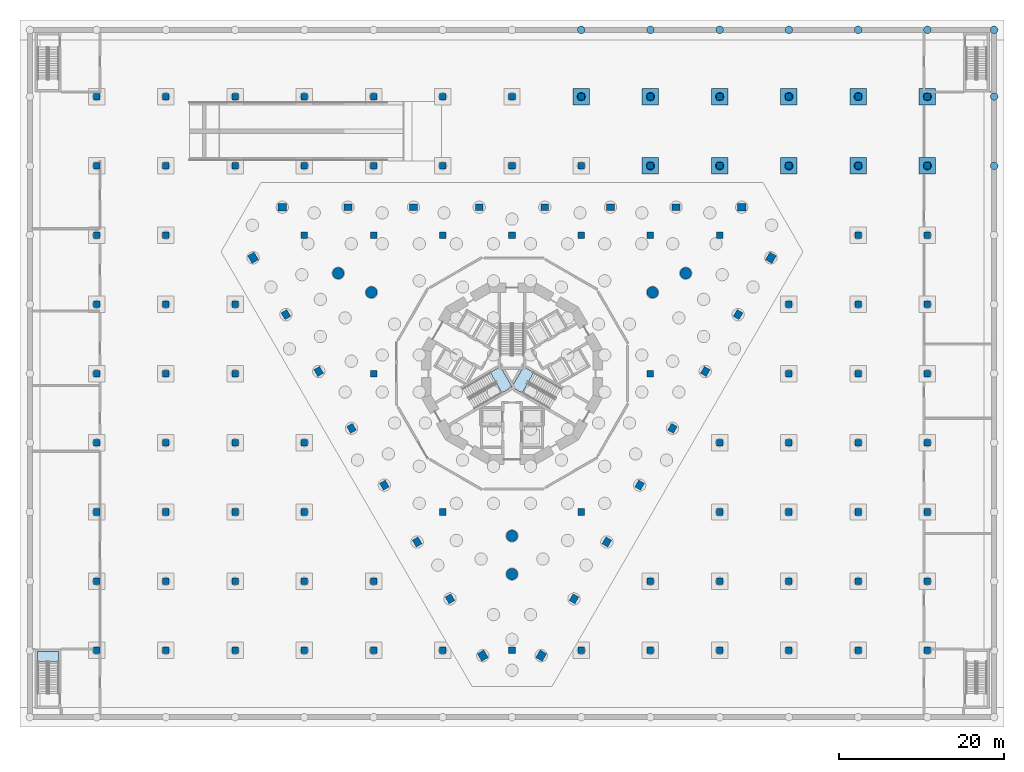
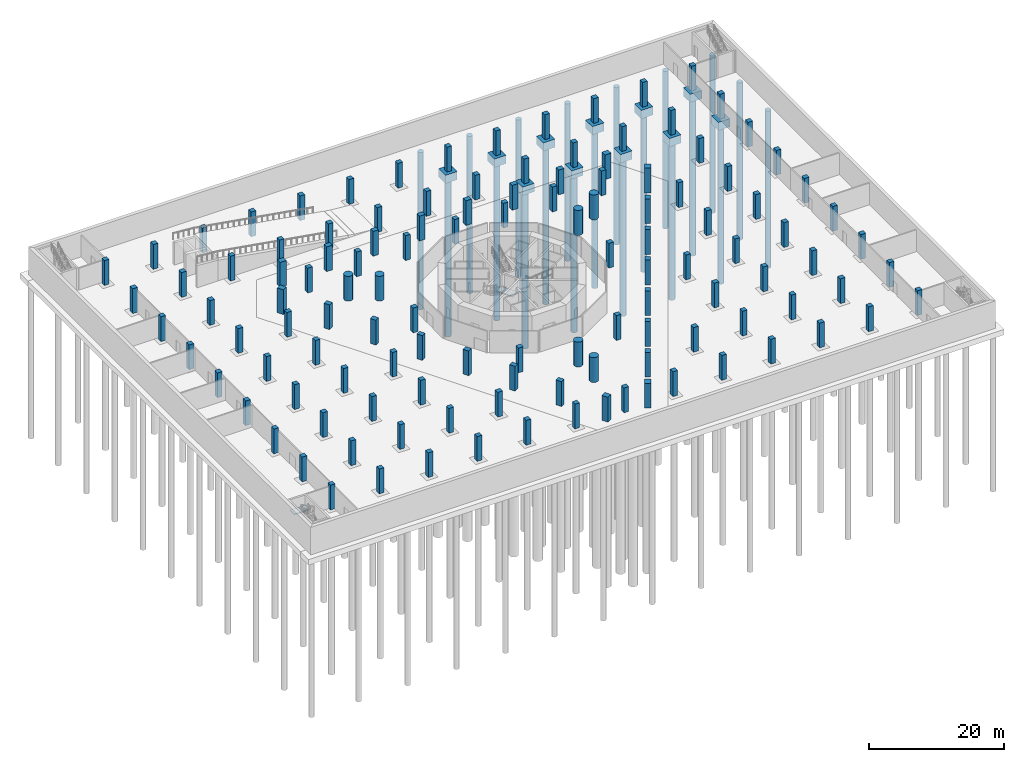
# One storey, part 3 of 23: 122 columns, 20 piles, 11 footings, 3 slabs, 3 elements without a shape of their own.
"""IFC4 building model written with IfcOpenShell, lengths in metres."""

from ifc_helpers import new_model, si_unit, direction, frame, origin, origin_2d, place, context, subcontext, project, spatial, polyline, rectangle, circle, outline, extrude, material, layer, layer_set, material_profile, profile_set, type_object, element, aggregate, save


model = new_model("IFC4")

# Units and contexts
model_context = context("Model", 3, precision=1e-05, world=origin(), true_north=direction((0.0, 1.0)))
body_context = subcontext(model_context, "Body", "Model", "MODEL_VIEW")
ifc_project = project(units=[si_unit("LENGTHUNIT", "METRE"), si_unit("AREAUNIT", "SQUARE_METRE"), si_unit("VOLUMEUNIT", "CUBIC_METRE"), si_unit("PLANEANGLEUNIT", "RADIAN"), si_unit("MASSUNIT", "GRAM", prefix="KILO")], contexts=[model_context])

# Site, building, storey
site_placement = place(None, origin())
site = spatial("IfcSite", under=ifc_project, at=site_placement, CompositionType="ELEMENT")
building_placement = place(site_placement, origin())
building = spatial("IfcBuilding", under=site, at=building_placement, Name="Trine Commons Tower", CompositionType="ELEMENT")
storey_placement = place(building_placement, frame((0.0, 0.0, -9.0)))
storey = spatial("IfcBuildingStorey", under=building, at=storey_placement, Name="B2", CompositionType="ELEMENT", Elevation=-9.0)

# Piles
ifc_material_1 = material(Name="Concrete C40/50", Category="concrete")
pile_type_1 = type_object("IfcPileType", Name="Bored pile 1000 mm, C40/50", PredefinedType="BORED", material=ifc_material_1)
for number, where, z_axis, x_axis, name in (
    (1, (96.800048828125, 87.699951171875, -1.425048828125), (0.0, 0.0, -1.0), (1.0, 0.0, 0.0), "Pile 194"),
    (2, (105.199951171875, 87.699951171875, -1.425048828125), (0.0, 0.0, -1.0), (1.0, 0.0, 0.0), "Pile 195"),
    (3, (113.60009765625, 87.699951171875, -1.425048828125), (0.0, 0.0, -1.0), (1.0, 0.0, 0.0), "Pile 196"),
    (4, (122.0, 87.699951171875, -1.425048828125), (0.0, 0.0, -1.0), (1.0, 0.0, 0.0), "Pile 197"),
    (5, (130.39990234375, 87.699951171875, -1.425048828125), (0.0, 0.0, -1.0), (1.0, 0.0, 0.0), "Pile 198"),
    (6, (88.39990234375, 96.10009765625, -1.425048828125), (0.0, 0.0, -1.0), (1.0, 0.0, 0.0), "Pile 206"),
    (7, (96.800048828125, 96.10009765625, -1.425048828125), (0.0, 0.0, -1.0), (1.0, 0.0, 0.0), "Pile 207"),
    (8, (105.199951171875, 96.10009765625, -1.425048828125), (0.0, 0.0, -1.0), (1.0, 0.0, 0.0), "Pile 208"),
    (9, (113.60009765625, 96.10009765625, -1.425048828125), (0.0, 0.0, -1.0), (1.0, 0.0, 0.0), "Pile 209"),
    (10, (122.0, 96.10009765625, -1.425048828125), (0.0, 0.0, -1.0), (1.0, 0.0, 0.0), "Pile 210"),
    (11, (130.39990234375, 96.10009765625, -1.425048828125), (0.0, 0.0, -1.0), (1.0, 0.0, 0.0), "Pile 211"),
):
    element("IfcPile", number, at=place(storey_placement, frame(where, z_axis=z_axis, x_axis=x_axis)), inside=storey, type_object=pile_type_1, Name=name, PredefinedType="BORED", context=body_context, shape_type="SweptSolid", body=[
        extrude(circle(Radius=0.5, at=origin_2d()), origin(), (0.0, 0.0, 1.0), 28.574951171875),
    ])
pile_type_2 = type_object("IfcPileType", Name="Bored pile 900 mm, C40/50", PredefinedType="BORED", material=ifc_material_1)
for number, where, z_axis, x_axis, name in (
    (12, (138.5, 87.699951171875, -1.425048828125), (0.0, 0.0, -1.0), (1.0, 0.0, 0.0), "Pile 242"),
    (13, (138.5, 96.10009765625, -1.425048828125), (0.0, 0.0, -1.0), (1.0, 0.0, 0.0), "Pile 244"),
    (14, (88.39990234375, 104.199951171875, -1.425048828125), (0.0, 0.0, -1.0), (1.0, 0.0, 0.0), "Pile 253"),
    (15, (96.800048828125, 104.199951171875, -1.425048828125), (0.0, 0.0, -1.0), (1.0, 0.0, 0.0), "Pile 254"),
    (16, (105.199951171875, 104.199951171875, -1.425048828125), (0.0, 0.0, -1.0), (1.0, 0.0, 0.0), "Pile 255"),
    (17, (113.60009765625, 104.199951171875, -1.425048828125), (0.0, 0.0, -1.0), (1.0, 0.0, 0.0), "Pile 256"),
    (18, (122.0, 104.199951171875, -1.425048828125), (0.0, 0.0, -1.0), (1.0, 0.0, 0.0), "Pile 257"),
    (19, (130.39990234375, 104.199951171875, -1.425048828125), (0.0, 0.0, -1.0), (1.0, 0.0, 0.0), "Pile 258"),
    (20, (138.5, 104.199951171875, -1.425048828125), (0.0, 0.0, -1.0), (1.0, 0.0, 0.0), "Pile 259"),
):
    element("IfcPile", number, at=place(storey_placement, frame(where, z_axis=z_axis, x_axis=x_axis)), inside=storey, type_object=pile_type_2, Name=name, PredefinedType="BORED", context=body_context, shape_type="SweptSolid", body=[
        extrude(circle(Radius=0.449951171875, at=origin_2d()), origin(), (0.0, 0.0, 1.0), 28.574951171875),
    ])

# Footings
ifc_material_2 = material(Name="Concrete C50/60", Category="concrete")
ifc_layer_1 = layer(ifc_material_2, 1.5)
ifc_layer_set_1 = layer_set([ifc_layer_1], Name="Concrete C50/60")
footing_type = type_object("IfcFootingType", Name="Pile cap 1500 mm, C50/60", PredefinedType="PILE_CAP", material=ifc_layer_set_1)
footing_1_placement = place(storey_placement, frame((0.0, 0.0, -1.5)))
element("IfcFooting", 21, at=footing_1_placement, inside=storey, type_object=footing_type, Name="Pile cap BC-75", PredefinedType="PILE_CAP", context=body_context, shape_type="SweptSolid", body=[
    extrude(outline(polyline([(95.800048828125, 86.699951171875), (95.800048828125, 88.699951171875), (97.800048828125, 88.699951171875), (97.800048828125, 86.699951171875), (95.800048828125, 86.699951171875)])), origin(), (0.0, 0.0, 1.0), 1.5),
])
footing_2_placement = place(storey_placement, frame((0.0, 0.0, -1.5)))
element("IfcFooting", 22, at=footing_2_placement, inside=storey, type_object=footing_type, Name="Pile cap BC-76", PredefinedType="PILE_CAP", context=body_context, shape_type="SweptSolid", body=[
    extrude(outline(polyline([(104.199951171875, 86.699951171875), (104.199951171875, 88.699951171875), (106.199951171875, 88.699951171875), (106.199951171875, 86.699951171875), (104.199951171875, 86.699951171875)])), origin(), (0.0, 0.0, 1.0), 1.5),
])
footing_3_placement = place(storey_placement, frame((0.0, 0.0, -1.5)))
element("IfcFooting", 23, at=footing_3_placement, inside=storey, type_object=footing_type, Name="Pile cap BC-77", PredefinedType="PILE_CAP", context=body_context, shape_type="SweptSolid", body=[
    extrude(outline(polyline([(112.60009765625, 86.699951171875), (112.60009765625, 88.699951171875), (114.60009765625, 88.699951171875), (114.60009765625, 86.699951171875), (112.60009765625, 86.699951171875)])), origin(), (0.0, 0.0, 1.0), 1.5),
])
footing_4_placement = place(storey_placement, frame((0.0, 0.0, -1.5)))
element("IfcFooting", 24, at=footing_4_placement, inside=storey, type_object=footing_type, Name="Pile cap BC-78", PredefinedType="PILE_CAP", context=body_context, shape_type="SweptSolid", body=[
    extrude(outline(polyline([(121.0, 86.699951171875), (121.0, 88.699951171875), (123.0, 88.699951171875), (123.0, 86.699951171875), (121.0, 86.699951171875)])), origin(), (0.0, 0.0, 1.0), 1.5),
])
footing_5_placement = place(storey_placement, frame((0.0, 0.0, -1.5)))
element("IfcFooting", 25, at=footing_5_placement, inside=storey, type_object=footing_type, Name="Pile cap BC-79", PredefinedType="PILE_CAP", context=body_context, shape_type="SweptSolid", body=[
    extrude(outline(polyline([(129.39990234375, 86.699951171875), (129.39990234375, 88.699951171875), (131.39990234375, 88.699951171875), (131.39990234375, 86.699951171875), (129.39990234375, 86.699951171875)])), origin(), (0.0, 0.0, 1.0), 1.5),
])
footing_6_placement = place(storey_placement, frame((0.0, 0.0, -1.5)))
element("IfcFooting", 26, at=footing_6_placement, inside=storey, type_object=footing_type, Name="Pile cap BC-87", PredefinedType="PILE_CAP", context=body_context, shape_type="SweptSolid", body=[
    extrude(outline(polyline([(87.39990234375, 95.10009765625), (87.39990234375, 97.10009765625), (89.39990234375, 97.10009765625), (89.39990234375, 95.10009765625), (87.39990234375, 95.10009765625)])), origin(), (0.0, 0.0, 1.0), 1.5),
])
footing_7_placement = place(storey_placement, frame((0.0, 0.0, -1.5)))
element("IfcFooting", 27, at=footing_7_placement, inside=storey, type_object=footing_type, Name="Pile cap BC-88", PredefinedType="PILE_CAP", context=body_context, shape_type="SweptSolid", body=[
    extrude(outline(polyline([(95.800048828125, 95.10009765625), (95.800048828125, 97.10009765625), (97.800048828125, 97.10009765625), (97.800048828125, 95.10009765625), (95.800048828125, 95.10009765625)])), origin(), (0.0, 0.0, 1.0), 1.5),
])
footing_8_placement = place(storey_placement, frame((0.0, 0.0, -1.5)))
element("IfcFooting", 28, at=footing_8_placement, inside=storey, type_object=footing_type, Name="Pile cap BC-89", PredefinedType="PILE_CAP", context=body_context, shape_type="SweptSolid", body=[
    extrude(outline(polyline([(104.199951171875, 95.10009765625), (104.199951171875, 97.10009765625), (106.199951171875, 97.10009765625), (106.199951171875, 95.10009765625), (104.199951171875, 95.10009765625)])), origin(), (0.0, 0.0, 1.0), 1.5),
])
footing_9_placement = place(storey_placement, frame((0.0, 0.0, -1.5)))
element("IfcFooting", 29, at=footing_9_placement, inside=storey, type_object=footing_type, Name="Pile cap BC-90", PredefinedType="PILE_CAP", context=body_context, shape_type="SweptSolid", body=[
    extrude(outline(polyline([(112.60009765625, 95.10009765625), (112.60009765625, 97.10009765625), (114.60009765625, 97.10009765625), (114.60009765625, 95.10009765625), (112.60009765625, 95.10009765625)])), origin(), (0.0, 0.0, 1.0), 1.5),
])
footing_10_placement = place(storey_placement, frame((0.0, 0.0, -1.5)))
element("IfcFooting", 30, at=footing_10_placement, inside=storey, type_object=footing_type, Name="Pile cap BC-91", PredefinedType="PILE_CAP", context=body_context, shape_type="SweptSolid", body=[
    extrude(outline(polyline([(121.0, 95.10009765625), (121.0, 97.10009765625), (123.0, 97.10009765625), (123.0, 95.10009765625), (121.0, 95.10009765625)])), origin(), (0.0, 0.0, 1.0), 1.5),
])
footing_11_placement = place(storey_placement, frame((0.0, 0.0, -1.5)))
element("IfcFooting", 31, at=footing_11_placement, inside=storey, type_object=footing_type, Name="Pile cap BC-92", PredefinedType="PILE_CAP", context=body_context, shape_type="SweptSolid", body=[
    extrude(outline(polyline([(129.39990234375, 95.10009765625), (129.39990234375, 97.10009765625), (131.39990234375, 97.10009765625), (131.39990234375, 95.10009765625), (129.39990234375, 95.10009765625)])), origin(), (0.0, 0.0, 1.0), 1.5),
])

# Columns
ifc_material_3 = material(Name="Concrete C80/95", Category="concrete")
ifc_material_profile_1 = material_profile(ifc_material_3, rectangle(XDim=1.050048828125, YDim=0.89990234375, at=origin_2d()), Name="RC 1050x900")
ifc_profile_set_1 = profile_set([ifc_material_profile_1], Name="Concrete C80/95")
column_type_1 = type_object("IfcColumnType", Name="RC column 1050x900, C80/95", PredefinedType="COLUMN", material=ifc_profile_set_1)
for number, where, z_axis, x_axis, name in (
    (32, (76.45556640625, 28.27001953125, 0.0), (0.0, 0.0, 1.0), (-0.5, 0.866025403784, 0.0), "Column PC1-01 B2"),
    (33, (48.583740234375, 76.54541015625, 0.0), (0.0, 0.0, 1.0), (-0.5, 0.866025403784, 0.0), "Column PC1-08 B2"),
    (34, (52.128173828125, 82.6845703125, 0.0), (0.0, 0.0, 1.0), (1.0, 0.0, 0.0), "Column PC1-09 B2"),
    (35, (107.871826171875, 82.6845703125, 0.0), (0.0, 0.0, 1.0), (1.0, 0.0, 0.0), "Column PC1-16 B2"),
    (36, (111.416259765625, 76.54541015625, 0.0), (0.0, 0.0, 1.0), (0.5, 0.866025403784, 0.0), "Column PC1-17 B2"),
    (37, (83.54443359375, 28.27001953125, 0.0), (0.0, 0.0, 1.0), (0.5, 0.866025403784, 0.0), "Column PC1-24 B2"),
):
    element("IfcColumn", number, at=place(storey_placement, frame(where, z_axis=z_axis, x_axis=x_axis)), inside=storey, type_object=column_type_1, Name=name, PredefinedType="COLUMN", context=body_context, shape_type="SweptSolid", body=[
        extrude(rectangle(XDim=1.050048828125, YDim=0.89990234375, at=origin_2d()), origin(), (0.0, 0.0, 1.0), 4.5),
    ])
ifc_material_profile_2 = material_profile(ifc_material_2, rectangle(XDim=0.800048828125, YDim=0.800048828125, at=origin_2d()), Name="RC 800x800")
ifc_profile_set_2 = profile_set([ifc_material_profile_2], Name="Concrete C50/60")
column_type_2 = type_object("IfcColumnType", Name="RC column 800x800, C50/60", PredefinedType="COLUMN", material=ifc_profile_set_2)
for number, where, z_axis, x_axis, name in (
    (38, (29.60009765625, 28.89990234375, 0.0), (0.0, 0.0, 1.0), (1.0, 0.0, 0.0), "Column BC-01 B2"),
    (39, (38.0, 28.89990234375, 0.0), (0.0, 0.0, 1.0), (1.0, 0.0, 0.0), "Column BC-02 B2"),
    (40, (46.39990234375, 28.89990234375, 0.0), (0.0, 0.0, 1.0), (1.0, 0.0, 0.0), "Column BC-03 B2"),
    (41, (54.800048828125, 28.89990234375, 0.0), (0.0, 0.0, 1.0), (1.0, 0.0, 0.0), "Column BC-04 B2"),
    (42, (63.199951171875, 28.89990234375, 0.0), (0.0, 0.0, 1.0), (1.0, 0.0, 0.0), "Column BC-05 B2"),
    (43, (71.60009765625, 28.89990234375, 0.0), (0.0, 0.0, 1.0), (1.0, 0.0, 0.0), "Column BC-06 B2"),
    (44, (80.0, 28.89990234375, 0.0), (0.0, 0.0, 1.0), (1.0, 0.0, 0.0), "Column BC-07 B2"),
    (45, (88.39990234375, 28.89990234375, 0.0), (0.0, 0.0, 1.0), (1.0, 0.0, 0.0), "Column BC-08 B2"),
    (46, (96.800048828125, 28.89990234375, 0.0), (0.0, 0.0, 1.0), (1.0, 0.0, 0.0), "Column BC-09 B2"),
    (47, (105.199951171875, 28.89990234375, 0.0), (0.0, 0.0, 1.0), (1.0, 0.0, 0.0), "Column BC-10 B2"),
    (48, (113.60009765625, 28.89990234375, 0.0), (0.0, 0.0, 1.0), (1.0, 0.0, 0.0), "Column BC-11 B2"),
    (49, (122.0, 28.89990234375, 0.0), (0.0, 0.0, 1.0), (1.0, 0.0, 0.0), "Column BC-12 B2"),
    (50, (130.39990234375, 28.89990234375, 0.0), (0.0, 0.0, 1.0), (1.0, 0.0, 0.0), "Column BC-13 B2"),
    (51, (29.60009765625, 37.300048828125, 0.0), (0.0, 0.0, 1.0), (1.0, 0.0, 0.0), "Column BC-14 B2"),
    (52, (38.0, 37.300048828125, 0.0), (0.0, 0.0, 1.0), (1.0, 0.0, 0.0), "Column BC-15 B2"),
    (53, (46.39990234375, 37.300048828125, 0.0), (0.0, 0.0, 1.0), (1.0, 0.0, 0.0), "Column BC-16 B2"),
    (54, (54.800048828125, 37.300048828125, 0.0), (0.0, 0.0, 1.0), (1.0, 0.0, 0.0), "Column BC-17 B2"),
    (55, (63.199951171875, 37.300048828125, 0.0), (0.0, 0.0, 1.0), (1.0, 0.0, 0.0), "Column BC-18 B2"),
    (56, (96.800048828125, 37.300048828125, 0.0), (0.0, 0.0, 1.0), (1.0, 0.0, 0.0), "Column BC-19 B2"),
    (57, (105.199951171875, 37.300048828125, 0.0), (0.0, 0.0, 1.0), (1.0, 0.0, 0.0), "Column BC-20 B2"),
    (58, (113.60009765625, 37.300048828125, 0.0), (0.0, 0.0, 1.0), (1.0, 0.0, 0.0), "Column BC-21 B2"),
    (59, (122.0, 37.300048828125, 0.0), (0.0, 0.0, 1.0), (1.0, 0.0, 0.0), "Column BC-22 B2"),
    (60, (130.39990234375, 37.300048828125, 0.0), (0.0, 0.0, 1.0), (1.0, 0.0, 0.0), "Column BC-23 B2"),
    (61, (29.60009765625, 45.699951171875, 0.0), (0.0, 0.0, 1.0), (1.0, 0.0, 0.0), "Column BC-24 B2"),
    (62, (38.0, 45.699951171875, 0.0), (0.0, 0.0, 1.0), (1.0, 0.0, 0.0), "Column BC-25 B2"),
    (63, (46.39990234375, 45.699951171875, 0.0), (0.0, 0.0, 1.0), (1.0, 0.0, 0.0), "Column BC-26 B2"),
    (64, (54.800048828125, 45.699951171875, 0.0), (0.0, 0.0, 1.0), (1.0, 0.0, 0.0), "Column BC-27 B2"),
    (65, (71.60009765625, 45.699951171875, 0.0), (0.0, 0.0, 1.0), (1.0, 0.0, 0.0), "Column BC-28 B2"),
    (66, (88.39990234375, 45.699951171875, 0.0), (0.0, 0.0, 1.0), (1.0, 0.0, 0.0), "Column BC-29 B2"),
    (67, (105.199951171875, 45.699951171875, 0.0), (0.0, 0.0, 1.0), (1.0, 0.0, 0.0), "Column BC-30 B2"),
    (68, (113.60009765625, 45.699951171875, 0.0), (0.0, 0.0, 1.0), (1.0, 0.0, 0.0), "Column BC-31 B2"),
    (69, (122.0, 45.699951171875, 0.0), (0.0, 0.0, 1.0), (1.0, 0.0, 0.0), "Column BC-32 B2"),
    (70, (130.39990234375, 45.699951171875, 0.0), (0.0, 0.0, 1.0), (1.0, 0.0, 0.0), "Column BC-33 B2"),
    (71, (29.60009765625, 54.10009765625, 0.0), (0.0, 0.0, 1.0), (1.0, 0.0, 0.0), "Column BC-34 B2"),
    (72, (38.0, 54.10009765625, 0.0), (0.0, 0.0, 1.0), (1.0, 0.0, 0.0), "Column BC-35 B2"),
    (73, (46.39990234375, 54.10009765625, 0.0), (0.0, 0.0, 1.0), (1.0, 0.0, 0.0), "Column BC-36 B2"),
    (74, (54.800048828125, 54.10009765625, 0.0), (0.0, 0.0, 1.0), (1.0, 0.0, 0.0), "Column BC-37 B2"),
    (75, (105.199951171875, 54.10009765625, 0.0), (0.0, 0.0, 1.0), (1.0, 0.0, 0.0), "Column BC-38 B2"),
    (76, (113.60009765625, 54.10009765625, 0.0), (0.0, 0.0, 1.0), (1.0, 0.0, 0.0), "Column BC-39 B2"),
    (77, (122.0, 54.10009765625, 0.0), (0.0, 0.0, 1.0), (1.0, 0.0, 0.0), "Column BC-40 B2"),
    (78, (130.39990234375, 54.10009765625, 0.0), (0.0, 0.0, 1.0), (1.0, 0.0, 0.0), "Column BC-41 B2"),
    (79, (29.60009765625, 62.5, 0.0), (0.0, 0.0, 1.0), (1.0, 0.0, 0.0), "Column BC-42 B2"),
    (80, (38.0, 62.5, 0.0), (0.0, 0.0, 1.0), (1.0, 0.0, 0.0), "Column BC-43 B2"),
    (81, (46.39990234375, 62.5, 0.0), (0.0, 0.0, 1.0), (1.0, 0.0, 0.0), "Column BC-44 B2"),
    (82, (63.199951171875, 62.5, 0.0), (0.0, 0.0, 1.0), (1.0, 0.0, 0.0), "Column BC-45 B2"),
    (83, (96.800048828125, 62.5, 0.0), (0.0, 0.0, 1.0), (1.0, 0.0, 0.0), "Column BC-46 B2"),
    (84, (113.60009765625, 62.5, 0.0), (0.0, 0.0, 1.0), (1.0, 0.0, 0.0), "Column BC-47 B2"),
    (85, (122.0, 62.5, 0.0), (0.0, 0.0, 1.0), (1.0, 0.0, 0.0), "Column BC-48 B2"),
    (86, (130.39990234375, 62.5, 0.0), (0.0, 0.0, 1.0), (1.0, 0.0, 0.0), "Column BC-49 B2"),
    (87, (29.60009765625, 70.89990234375, 0.0), (0.0, 0.0, 1.0), (1.0, 0.0, 0.0), "Column BC-50 B2"),
    (88, (38.0, 70.89990234375, 0.0), (0.0, 0.0, 1.0), (1.0, 0.0, 0.0), "Column BC-51 B2"),
    (89, (46.39990234375, 70.89990234375, 0.0), (0.0, 0.0, 1.0), (1.0, 0.0, 0.0), "Column BC-52 B2"),
    (90, (113.60009765625, 70.89990234375, 0.0), (0.0, 0.0, 1.0), (1.0, 0.0, 0.0), "Column BC-53 B2"),
    (91, (122.0, 70.89990234375, 0.0), (0.0, 0.0, 1.0), (1.0, 0.0, 0.0), "Column BC-54 B2"),
    (92, (130.39990234375, 70.89990234375, 0.0), (0.0, 0.0, 1.0), (1.0, 0.0, 0.0), "Column BC-55 B2"),
    (93, (29.60009765625, 79.300048828125, 0.0), (0.0, 0.0, 1.0), (1.0, 0.0, 0.0), "Column BC-56 B2"),
    (94, (38.0, 79.300048828125, 0.0), (0.0, 0.0, 1.0), (1.0, 0.0, 0.0), "Column BC-57 B2"),
    (95, (54.800048828125, 79.300048828125, 0.0), (0.0, 0.0, 1.0), (1.0, 0.0, 0.0), "Column BC-58 B2"),
    (96, (63.199951171875, 79.300048828125, 0.0), (0.0, 0.0, 1.0), (1.0, 0.0, 0.0), "Column BC-59 B2"),
    (97, (71.60009765625, 79.300048828125, 0.0), (0.0, 0.0, 1.0), (1.0, 0.0, 0.0), "Column BC-60 B2"),
    (98, (80.0, 79.300048828125, 0.0), (0.0, 0.0, 1.0), (1.0, 0.0, 0.0), "Column BC-61 B2"),
    (99, (88.39990234375, 79.300048828125, 0.0), (0.0, 0.0, 1.0), (1.0, 0.0, 0.0), "Column BC-62 B2"),
    (100, (96.800048828125, 79.300048828125, 0.0), (0.0, 0.0, 1.0), (1.0, 0.0, 0.0), "Column BC-63 B2"),
    (101, (105.199951171875, 79.300048828125, 0.0), (0.0, 0.0, 1.0), (1.0, 0.0, 0.0), "Column BC-64 B2"),
    (102, (122.0, 79.300048828125, 0.0), (0.0, 0.0, 1.0), (1.0, 0.0, 0.0), "Column BC-65 B2"),
    (103, (130.39990234375, 79.300048828125, 0.0), (0.0, 0.0, 1.0), (1.0, 0.0, 0.0), "Column BC-66 B2"),
    (104, (29.60009765625, 87.699951171875, 0.0), (0.0, 0.0, 1.0), (1.0, 0.0, 0.0), "Column BC-67 B2"),
    (105, (38.0, 87.699951171875, 0.0), (0.0, 0.0, 1.0), (1.0, 0.0, 0.0), "Column BC-68 B2"),
    (106, (46.39990234375, 87.699951171875, 0.0), (0.0, 0.0, 1.0), (1.0, 0.0, 0.0), "Column BC-69 B2"),
    (107, (54.800048828125, 87.699951171875, 0.0), (0.0, 0.0, 1.0), (1.0, 0.0, 0.0), "Column BC-70 B2"),
    (108, (63.199951171875, 87.699951171875, 0.0), (0.0, 0.0, 1.0), (1.0, 0.0, 0.0), "Column BC-71 B2"),
    (109, (71.60009765625, 87.699951171875, 0.0), (0.0, 0.0, 1.0), (1.0, 0.0, 0.0), "Column BC-72 B2"),
    (110, (80.0, 87.699951171875, 0.0), (0.0, 0.0, 1.0), (1.0, 0.0, 0.0), "Column BC-73 B2"),
    (111, (88.39990234375, 87.699951171875, 0.0), (0.0, 0.0, 1.0), (1.0, 0.0, 0.0), "Column BC-74 B2"),
    (112, (96.800048828125, 87.699951171875, 0.0), (0.0, 0.0, 1.0), (1.0, 0.0, 0.0), "Column BC-75 B2"),
    (113, (105.199951171875, 87.699951171875, 0.0), (0.0, 0.0, 1.0), (1.0, 0.0, 0.0), "Column BC-76 B2"),
    (114, (113.60009765625, 87.699951171875, 0.0), (0.0, 0.0, 1.0), (1.0, 0.0, 0.0), "Column BC-77 B2"),
    (115, (122.0, 87.699951171875, 0.0), (0.0, 0.0, 1.0), (1.0, 0.0, 0.0), "Column BC-78 B2"),
    (116, (130.39990234375, 87.699951171875, 0.0), (0.0, 0.0, 1.0), (1.0, 0.0, 0.0), "Column BC-79 B2"),
    (117, (29.60009765625, 96.10009765625, 0.0), (0.0, 0.0, 1.0), (1.0, 0.0, 0.0), "Column BC-80 B2"),
    (118, (38.0, 96.10009765625, 0.0), (0.0, 0.0, 1.0), (1.0, 0.0, 0.0), "Column BC-81 B2"),
    (119, (46.39990234375, 96.10009765625, 0.0), (0.0, 0.0, 1.0), (1.0, 0.0, 0.0), "Column BC-82 B2"),
    (120, (54.800048828125, 96.10009765625, 0.0), (0.0, 0.0, 1.0), (1.0, 0.0, 0.0), "Column BC-83 B2"),
    (121, (63.199951171875, 96.10009765625, 0.0), (0.0, 0.0, 1.0), (1.0, 0.0, 0.0), "Column BC-84 B2"),
    (122, (71.60009765625, 96.10009765625, 0.0), (0.0, 0.0, 1.0), (1.0, 0.0, 0.0), "Column BC-85 B2"),
    (123, (80.0, 96.10009765625, 0.0), (0.0, 0.0, 1.0), (1.0, 0.0, 0.0), "Column BC-86 B2"),
    (124, (88.39990234375, 96.10009765625, 0.0), (0.0, 0.0, 1.0), (1.0, 0.0, 0.0), "Column BC-87 B2"),
    (125, (96.800048828125, 96.10009765625, 0.0), (0.0, 0.0, 1.0), (1.0, 0.0, 0.0), "Column BC-88 B2"),
    (126, (105.199951171875, 96.10009765625, 0.0), (0.0, 0.0, 1.0), (1.0, 0.0, 0.0), "Column BC-89 B2"),
    (127, (113.60009765625, 96.10009765625, 0.0), (0.0, 0.0, 1.0), (1.0, 0.0, 0.0), "Column BC-90 B2"),
    (128, (122.0, 96.10009765625, 0.0), (0.0, 0.0, 1.0), (1.0, 0.0, 0.0), "Column BC-91 B2"),
    (129, (130.39990234375, 96.10009765625, 0.0), (0.0, 0.0, 1.0), (1.0, 0.0, 0.0), "Column BC-92 B2"),
):
    element("IfcColumn", number, at=place(storey_placement, frame(where, z_axis=z_axis, x_axis=x_axis)), inside=storey, type_object=column_type_2, Name=name, PredefinedType="COLUMN", context=body_context, shape_type="SweptSolid", body=[
        extrude(rectangle(XDim=0.800048828125, YDim=0.800048828125, at=origin_2d()), origin(), (0.0, 0.0, 1.0), 4.5),
    ])
ifc_material_profile_3 = material_profile(ifc_material_3, rectangle(XDim=0.949951171875, YDim=0.800048828125, at=origin_2d()), Name="RC 950x800")
ifc_profile_set_3 = profile_set([ifc_material_profile_3], Name="Concrete C80/95")
column_type_3 = type_object("IfcColumnType", Name="RC column 950x800, C80/95", PredefinedType="COLUMN", material=ifc_profile_set_3)
for number, where, z_axis, x_axis, name in (
    (130, (72.473876953125, 35.16650390625, 0.0), (0.0, 0.0, 1.0), (-0.5, 0.866025403784, 0.0), "Column PC1-02 B2"),
    (131, (68.4921875, 42.06298828125, 0.0), (0.0, 0.0, 1.0), (-0.5, 0.866025403784, 0.0), "Column PC1-03 B2"),
    (132, (64.510498046875, 48.95947265625, 0.0), (0.0, 0.0, 1.0), (-0.5, 0.866025403784, 0.0), "Column PC1-04 B2"),
    (133, (60.52880859375, 55.85595703125, 0.0), (0.0, 0.0, 1.0), (-0.5, 0.866025403784, 0.0), "Column PC1-05 B2"),
    (134, (56.547119140625, 62.75244140625, 0.0), (0.0, 0.0, 1.0), (-0.5, 0.866025403784, 0.0), "Column PC1-06 B2"),
    (135, (52.5654296875, 69.64892578125, 0.0), (0.0, 0.0, 1.0), (-0.5, 0.866025403784, 0.0), "Column PC1-07 B2"),
    (136, (60.091552734375, 82.6845703125, 0.0), (0.0, 0.0, 1.0), (1.0, 0.0, 0.0), "Column PC1-10 B2"),
    (137, (68.054931640625, 82.6845703125, 0.0), (0.0, 0.0, 1.0), (1.0, 0.0, 0.0), "Column PC1-11 B2"),
    (138, (76.018310546875, 82.6845703125, 0.0), (0.0, 0.0, 1.0), (1.0, 0.0, 0.0), "Column PC1-12 B2"),
    (139, (83.981689453125, 82.6845703125, 0.0), (0.0, 0.0, 1.0), (1.0, 0.0, 0.0), "Column PC1-13 B2"),
    (140, (91.945068359375, 82.6845703125, 0.0), (0.0, 0.0, 1.0), (1.0, 0.0, 0.0), "Column PC1-14 B2"),
    (141, (99.908447265625, 82.6845703125, 0.0), (0.0, 0.0, 1.0), (1.0, 0.0, 0.0), "Column PC1-15 B2"),
    (142, (107.4345703125, 69.64892578125, 0.0), (0.0, 0.0, 1.0), (0.5, 0.866025403784, 0.0), "Column PC1-18 B2"),
    (143, (103.452880859375, 62.75244140625, 0.0), (0.0, 0.0, 1.0), (0.5, 0.866025403784, 0.0), "Column PC1-19 B2"),
    (144, (99.47119140625, 55.85595703125, 0.0), (0.0, 0.0, 1.0), (0.5, 0.866025403784, 0.0), "Column PC1-20 B2"),
    (145, (95.489501953125, 48.95947265625, 0.0), (0.0, 0.0, 1.0), (0.5, 0.866025403784, 0.0), "Column PC1-21 B2"),
    (146, (91.5078125, 42.06298828125, 0.0), (0.0, 0.0, 1.0), (0.5, 0.866025403784, 0.0), "Column PC1-22 B2"),
    (147, (87.526123046875, 35.16650390625, 0.0), (0.0, 0.0, 1.0), (0.5, 0.866025403784, 0.0), "Column PC1-23 B2"),
):
    element("IfcColumn", number, at=place(storey_placement, frame(where, z_axis=z_axis, x_axis=x_axis)), inside=storey, type_object=column_type_3, Name=name, PredefinedType="COLUMN", context=body_context, shape_type="SweptSolid", body=[
        extrude(rectangle(XDim=0.949951171875, YDim=0.800048828125, at=origin_2d()), origin(), (0.0, 0.0, 1.0), 4.5),
    ])
ifc_material_profile_4 = material_profile(ifc_material_3, circle(Radius=0.699951171875, at=origin_2d()), Name="RC round 1400")
ifc_profile_set_4 = profile_set([ifc_material_profile_4], Name="Concrete C80/95")
column_type_4 = type_object("IfcColumnType", Name="RC round column 1400 mm, C80/95", PredefinedType="COLUMN", material=ifc_profile_set_4)
for number, where, z_axis, x_axis, name in (
    (148, (80.0, 42.802978515625, 0.0), (0.0, 0.0, 1.0), (1.0, 0.0, 0.0), "Column WC1-1 B2"),
    (149, (80.0, 38.162109375, 0.0), (0.0, 0.0, 1.0), (1.0, 0.0, 0.0), "Column WC1-2 B2"),
    (150, (97.05810546875, 72.348388671875, 0.0), (0.0, 0.0, 1.0), (1.0, 0.0, 0.0), "Column WC1-3 B2"),
    (151, (101.0771484375, 74.6689453125, 0.0), (0.0, 0.0, 1.0), (1.0, 0.0, 0.0), "Column WC1-4 B2"),
    (152, (62.94189453125, 72.348388671875, 0.0), (0.0, 0.0, 1.0), (1.0, 0.0, 0.0), "Column WC1-5 B2"),
    (153, (58.9228515625, 74.6689453125, 0.0), (0.0, 0.0, 1.0), (1.0, 0.0, 0.0), "Column WC1-6 B2"),
):
    element("IfcColumn", number, at=place(storey_placement, frame(where, z_axis=z_axis, x_axis=x_axis)), inside=storey, type_object=column_type_4, Name=name, PredefinedType="COLUMN", context=body_context, shape_type="SweptSolid", body=[
        extrude(circle(Radius=0.699951171875, at=origin_2d()), origin(), (0.0, 0.0, 1.0), 4.5),
    ])

# Stair, slab
stair_type_1 = type_object("IfcStairType", Name="Exit stair, dog-leg 1200 mm, C40/50", PredefinedType="HALF_TURN_STAIR", material=ifc_material_1)
stair_1_placement = place(storey_placement, origin())
stair_1 = element("IfcStair", 154, at=stair_1_placement, inside=storey, type_object=stair_type_1, Name="B2 Exit stair STB1", PredefinedType="HALF_TURN_STAIR")
ifc_layer_2 = layer(ifc_material_1, 0.199951171875)
ifc_layer_set_2 = layer_set([ifc_layer_2], Name="Concrete C40/50")
slab_type_1 = type_object("IfcSlabType", Name="Stair landing 200 mm, C40/50", PredefinedType="LANDING", material=ifc_layer_set_2)
slab_1_placement = place(storey_placement, frame((0.0, 0.0, 2.050048828125)))
slab_1 = element("IfcSlab", 155, at=slab_1_placement, type_object=slab_type_1, Name="STB1 landing 1", PredefinedType="LANDING", context=body_context, shape_type="SweptSolid", body=[
    extrude(outline(polyline([(25.0, 27.489990234375), (25.0, 28.77001953125), (22.449951171875, 28.77001953125), (22.449951171875, 27.489990234375), (25.0, 27.489990234375)])), origin(), (0.0, 0.0, 1.0), 0.199951171875),
])
aggregate(stair_1, [slab_1])

stair_type_2 = type_object("IfcStairType", Name="Exit stair, dog-leg, 30 risers of 150 mm", PredefinedType="HALF_TURN_STAIR", material=ifc_material_2)
stair_2_placement = place(storey_placement, origin())
stair_2 = element("IfcStair", 156, at=stair_2_placement, inside=storey, type_object=stair_type_2, Name="B2 Exit stair ST2A", PredefinedType="HALF_TURN_STAIR")
ifc_layer_3 = layer(ifc_material_2, 0.199951171875)
ifc_layer_set_3 = layer_set([ifc_layer_3], Name="Concrete C50/60")
slab_type_2 = type_object("IfcSlabType", Name="Stair landing slab 200 mm, C50/60", PredefinedType="LANDING", material=ifc_layer_set_3)
slab_2_placement = place(storey_placement, frame((0.0, 0.0, 2.050048828125)))
slab_2 = element("IfcSlab", 157, at=slab_2_placement, type_object=slab_type_2, Name="ST2A landing 1", PredefinedType="LANDING", context=body_context, shape_type="SweptSolid", body=[
    extrude(outline(polyline([(78.78076171875, 60.150634765625), (80.019287109375, 60.86572265625), (78.59423828125, 63.333740234375), (77.355712890625, 62.618896484375), (78.78076171875, 60.150634765625)])), origin(), (0.0, 0.0, 1.0), 0.199951171875),
])
aggregate(stair_2, [slab_2])

stair_3_placement = place(storey_placement, origin())
stair_3 = element("IfcStair", 158, at=stair_3_placement, inside=storey, type_object=stair_type_2, Name="B2 Exit stair ST3A", PredefinedType="HALF_TURN_STAIR")
slab_3_placement = place(storey_placement, frame((0.0, 0.0, 2.050048828125)))
slab_3 = element("IfcSlab", 159, at=slab_3_placement, type_object=slab_type_2, Name="ST3A landing 1", PredefinedType="LANDING", context=body_context, shape_type="SweptSolid", body=[
    extrude(outline(polyline([(82.644287109375, 62.618896484375), (81.40576171875, 63.333740234375), (79.980712890625, 60.86572265625), (81.21923828125, 60.150634765625), (82.644287109375, 62.618896484375)])), origin(), (0.0, 0.0, 1.0), 0.199951171875),
])
aggregate(stair_3, [slab_3])

save(model, "model.ifc")
